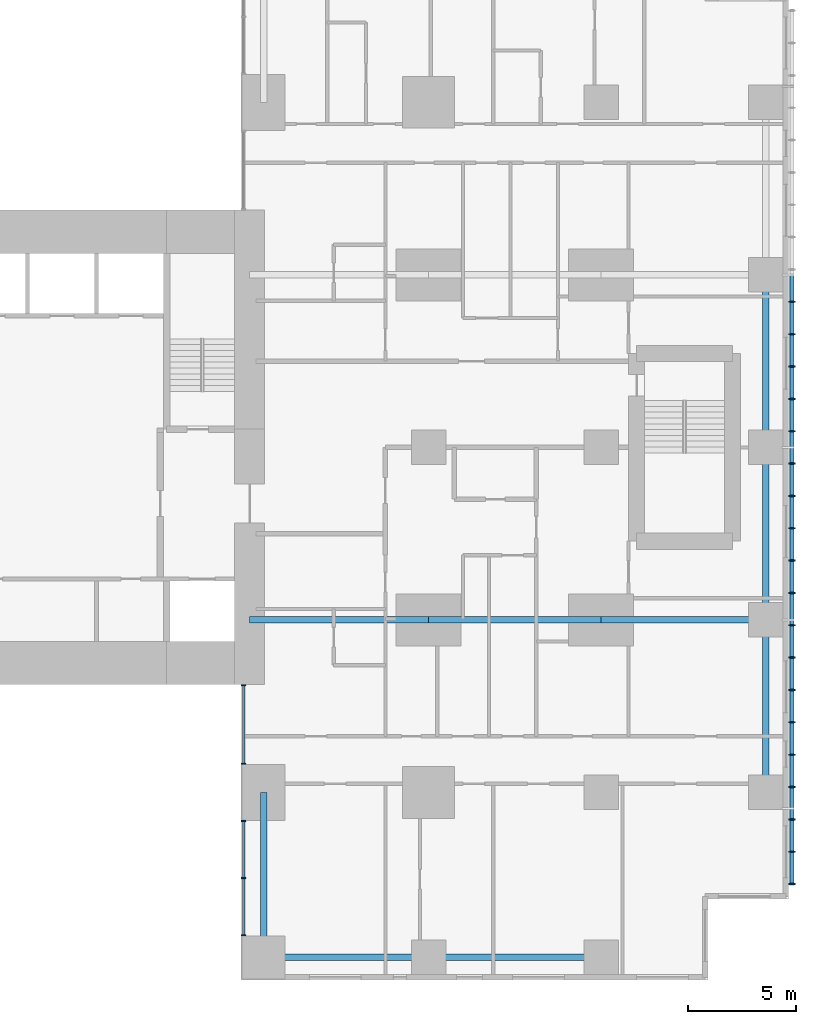
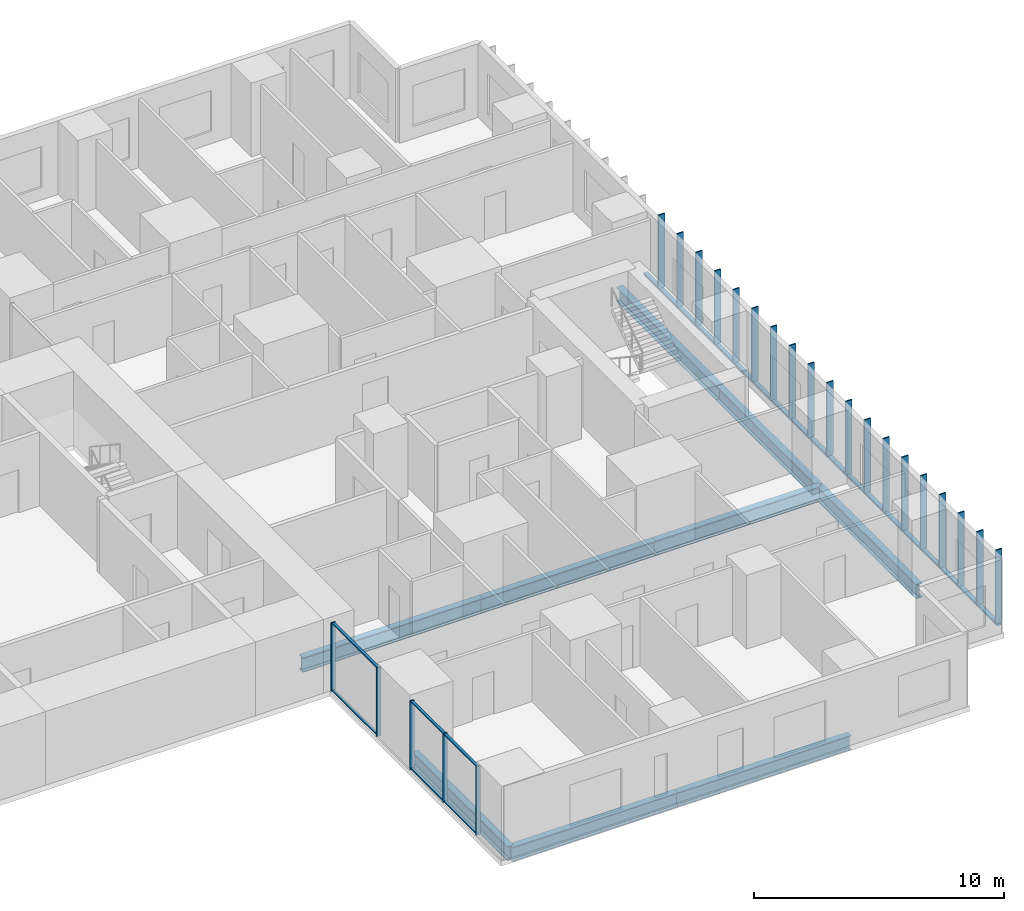
# One storey, part 2 of 12: 33 members, 9 beams, 2 elements without a shape of their own.
"""IFC4 building model written with IfcOpenShell, lengths in metres."""

from ifc_helpers import new_model, si_unit, direction, frame, origin, origin_2d, place, context, subcontext, project, spatial, rectangle, hollow_rectangle, i_section, extrude, material, layer, layer_set, material_profile, profile_set, type_object, element, aggregate, save


model = new_model("IFC4")

# Units and contexts
model_context = context("Model", 3, precision=1e-05, world=origin(), true_north=direction((0.0, 1.0)))
body_context = subcontext(model_context, "Body", "Model", "MODEL_VIEW")
ifc_project = project(units=[si_unit("LENGTHUNIT", "METRE"), si_unit("AREAUNIT", "SQUARE_METRE"), si_unit("VOLUMEUNIT", "CUBIC_METRE"), si_unit("PLANEANGLEUNIT", "RADIAN"), si_unit("MASSUNIT", "GRAM", prefix="KILO")], contexts=[model_context])

# Site, building, storey
site_placement = place(None, origin())
site = spatial("IfcSite", under=ifc_project, at=site_placement, CompositionType="ELEMENT")
building_placement = place(site_placement, origin())
building = spatial("IfcBuilding", under=site, at=building_placement, Name="Cleftline Residences", CompositionType="ELEMENT")
storey_placement = place(building_placement, frame((0.0, 0.0, 248.39990234375)))
storey = spatial("IfcBuildingStorey", under=building, at=storey_placement, Name="L65", CompositionType="ELEMENT", Elevation=248.39990234375)

# Members
ifc_material_1 = material(Name="Steel S355, hot-dip galvanised", Category="steel")
ifc_material_profile_1 = material_profile(ifc_material_1, hollow_rectangle(XDim=0.10009765625, YDim=0.199951171875, WallThickness=0.008056640625, InnerFilletRadius=0.008056640625, OuterFilletRadius=0.011962890625, at=origin_2d()))
ifc_profile_set_1 = profile_set([ifc_material_profile_1], Name="Steel S355, hot-dip galvanised")
member_type_1 = type_object("IfcMemberType", Name="BAGUETTE CARRIER RHS 200X100X8", PredefinedType="USERDEFINED", material=ifc_profile_set_1)
member_1_placement = place(storey_placement, frame((66.85009765625, 3.699951171875, -0.0498046875), z_axis=(0.0, 1.0, 0.0), x_axis=(0.0, 0.0, 1.0)))
element("IfcMember", 1, at=member_1_placement, inside=storey, type_object=member_type_1, Name="Baguette carrier", ObjectType="BAGUETTE CARRIER", PredefinedType="USERDEFINED", context=body_context, shape_type="SweptSolid", body=[
    extrude(hollow_rectangle(XDim=0.10009765625, YDim=0.199951171875, WallThickness=0.008056640625, InnerFilletRadius=0.008056640625, OuterFilletRadius=0.011962890625, at=origin_2d()), origin(), (0.0, 0.0, 1.0), 12.300048828125),
])
for number, where, z_axis, x_axis, name in (
    (2, (66.85009765625, 16.0, -0.0498046875), (0.0, 1.0, 0.0), (0.0, 0.0, 1.0), "Baguette carrier"),
    (3, (66.85009765625, 24.0, -0.0498046875), (0.0, 1.0, 0.0), (0.0, 0.0, 1.0), "Baguette carrier"),
):
    element("IfcMember", number, at=place(storey_placement, frame(where, z_axis=z_axis, x_axis=x_axis)), inside=storey, type_object=member_type_1, Name=name, ObjectType="BAGUETTE CARRIER", PredefinedType="USERDEFINED", context=body_context, shape_type="SweptSolid", body=[
        extrude(hollow_rectangle(XDim=0.10009765625, YDim=0.199951171875, WallThickness=0.008056640625, InnerFilletRadius=0.008056640625, OuterFilletRadius=0.011962890625, at=origin_2d()), origin(), (0.0, 0.0, 1.0), 8.0),
    ])

# Beams
ifc_material_2 = material(Name="Steel S355", Category="steel")
ifc_material_profile_2 = material_profile(ifc_material_2, i_section(OverallWidth=0.300048828125, OverallDepth=0.699951171875, WebThickness=0.01708984375, FlangeThickness=0.031982421875, FilletRadius=0.027099609375, at=origin_2d()))
ifc_profile_set_2 = profile_set([ifc_material_profile_2], Name="Steel S355")
beam_type_1 = type_object("IfcBeamType", Name="BEAM HEB 700", PredefinedType="BEAM", material=ifc_profile_set_2)
for number, where, z_axis, x_axis, name in (
    (4, (65.64990234375, 8.0, -0.599853515625), (0.0, 1.0, 0.0), (-1.0, 0.0, 0.0), "Edge beam"),
    (5, (65.64990234375, 16.0, -0.599853515625), (0.0, 1.0, 0.0), (-1.0, 0.0, 0.0), "Edge beam"),
    (6, (65.64990234375, 24.0, -0.599853515625), (0.0, 1.0, 0.0), (-1.0, 0.0, 0.0), "Edge beam"),
    (7, (58.0, 0.35009765625, -0.599853515625), (-1.0, 0.0, 0.0), (0.0, -1.0, 0.0), "Edge beam"),
):
    element("IfcBeam", number, at=place(storey_placement, frame(where, z_axis=z_axis, x_axis=x_axis)), inside=storey, type_object=beam_type_1, Name=name, PredefinedType="BEAM", context=body_context, shape_type="SweptSolid", body=[
        extrude(i_section(OverallWidth=0.300048828125, OverallDepth=0.699951171875, WebThickness=0.01708984375, FlangeThickness=0.031982421875, FilletRadius=0.027099609375, at=origin_2d()), origin(), (0.0, 0.0, 1.0), 8.0),
    ])
for number, where, z_axis, x_axis, name in (
    (8, (50.0, 0.35009765625, -0.599853515625), (-1.0, 0.0, 0.0), (0.0, -1.0, 0.0), "Edge beam"),
    (9, (42.35009765625, 0.35009765625, -0.599853515625), (0.0, 1.0, 0.0), (-1.0, 0.0, 0.0), "Edge beam"),
):
    element("IfcBeam", number, at=place(storey_placement, frame(where, z_axis=z_axis, x_axis=x_axis)), inside=storey, type_object=beam_type_1, Name=name, PredefinedType="BEAM", context=body_context, shape_type="SweptSolid", body=[
        extrude(i_section(OverallWidth=0.300048828125, OverallDepth=0.699951171875, WebThickness=0.01708984375, FlangeThickness=0.031982421875, FilletRadius=0.027099609375, at=origin_2d()), origin(), (0.0, 0.0, 1.0), 7.64990234375),
    ])
ifc_material_3 = material(Name="Steel S355", Category="steel")
ifc_material_profile_3 = material_profile(ifc_material_3, i_section(OverallWidth=0.303955078125, OverallDepth=0.716064453125, WebThickness=0.02099609375, FlangeThickness=0.0400390625, FilletRadius=0.027099609375, at=origin_2d()))
ifc_profile_set_3 = profile_set([ifc_material_profile_3], Name="Steel S355")
beam_type_2 = type_object("IfcBeamType", Name="BEAM HEM 700", PredefinedType="BEAM", material=ifc_profile_set_3)
beam_1_placement = place(storey_placement, frame((65.64990234375, 16.0, -0.60791015625), z_axis=(-1.0, 0.0, 0.0), x_axis=(0.0, -1.0, 0.0)))
element("IfcBeam", 10, at=beam_1_placement, inside=storey, type_object=beam_type_2, Name="Band beam", PredefinedType="BEAM", context=body_context, shape_type="SweptSolid", body=[
    extrude(i_section(OverallWidth=0.303955078125, OverallDepth=0.716064453125, WebThickness=0.02099609375, FlangeThickness=0.0400390625, FilletRadius=0.027099609375, at=origin_2d()), origin(), (0.0, 0.0, 1.0), 7.64990234375),
])
beam_2_placement = place(storey_placement, frame((58.0, 16.0, -0.60791015625), z_axis=(-1.0, 0.0, 0.0), x_axis=(0.0, -1.0, 0.0)))
element("IfcBeam", 11, at=beam_2_placement, inside=storey, type_object=beam_type_2, Name="Band beam", PredefinedType="BEAM", context=body_context, shape_type="SweptSolid", body=[
    extrude(i_section(OverallWidth=0.303955078125, OverallDepth=0.716064453125, WebThickness=0.02099609375, FlangeThickness=0.0400390625, FilletRadius=0.027099609375, at=origin_2d()), origin(), (0.0, 0.0, 1.0), 8.0),
])
beam_3_placement = place(storey_placement, frame((50.0, 16.0, -0.60791015625), z_axis=(-1.0, 0.0, 0.0), x_axis=(0.0, -1.0, 0.0)))
element("IfcBeam", 12, at=beam_3_placement, inside=storey, type_object=beam_type_2, Name="Band beam", PredefinedType="BEAM", context=body_context, shape_type="SweptSolid", body=[
    extrude(i_section(OverallWidth=0.303955078125, OverallDepth=0.716064453125, WebThickness=0.02099609375, FlangeThickness=0.0400390625, FilletRadius=0.027099609375, at=origin_2d()), origin(), (0.0, 0.0, 1.0), 8.300048828125),
])

# Curtain wall, members
ifc_material_4 = material(Name="Aluminium framed curtain wall", Category="aluminium")
ifc_layer = layer(ifc_material_4, 0.199951171875)
ifc_layer_set = layer_set([ifc_layer], Name="CW1 CLEFT GLAZING")
curtain_wall_type = type_object("IfcCurtainWallType", Name="CW1 CLEFT GLAZING", PredefinedType="NOTDEFINED", material=ifc_layer_set)
curtain_wall_1_placement = place(storey_placement, origin())
curtain_wall_1 = element("IfcCurtainWall", 13, at=curtain_wall_1_placement, inside=storey, type_object=curtain_wall_type, Name="Curtain wall CW1", PredefinedType="NOTDEFINED")
ifc_material_5 = material(Name="Aluminium mullion", Category="aluminium")
ifc_material_profile_4 = material_profile(ifc_material_5, rectangle(XDim=0.199951171875, YDim=0.06005859375, at=origin_2d()))
ifc_profile_set_4 = profile_set([ifc_material_profile_4], Name="Aluminium mullion")
member_type_2 = type_object("IfcMemberType", Name="CW1 MULLION", PredefinedType="MULLION", material=ifc_profile_set_4)
member_2_placement = place(storey_placement, frame((41.425048828125, 12.969970703125, 0.0), z_axis=(0.0, 0.0, 1.0), x_axis=(1.0, 0.0, 0.0)))
member_2 = element("IfcMember", 14, at=member_2_placement, type_object=member_type_2, Name="CW1 mullion 1", PredefinedType="MULLION", context=body_context, shape_type="SweptSolid", body=[
    extrude(rectangle(XDim=0.199951171875, YDim=0.06005859375, at=origin_2d()), origin(), (0.0, 0.0, 1.0), 3.35009765625),
])
member_3_placement = place(storey_placement, frame((41.425048828125, 9.330078125, 0.0), z_axis=(0.0, 0.0, 1.0), x_axis=(1.0, 0.0, 0.0)))
member_3 = element("IfcMember", 15, at=member_3_placement, type_object=member_type_2, Name="CW1 mullion 2", PredefinedType="MULLION", context=body_context, shape_type="SweptSolid", body=[
    extrude(rectangle(XDim=0.199951171875, YDim=0.06005859375, at=origin_2d()), origin(), (0.0, 0.0, 1.0), 3.35009765625),
])

curtain_wall_2_placement = place(storey_placement, origin())
curtain_wall_2 = element("IfcCurtainWall", 16, at=curtain_wall_2_placement, inside=storey, type_object=curtain_wall_type, Name="Curtain wall CW1", PredefinedType="NOTDEFINED")
member_4_placement = place(storey_placement, frame((41.425048828125, 6.669921875, 0.0), z_axis=(0.0, 0.0, 1.0), x_axis=(1.0, 0.0, 0.0)))
member_4 = element("IfcMember", 17, at=member_4_placement, type_object=member_type_2, Name="CW1 mullion 1", PredefinedType="MULLION", context=body_context, shape_type="SweptSolid", body=[
    extrude(rectangle(XDim=0.199951171875, YDim=0.06005859375, at=origin_2d()), origin(), (0.0, 0.0, 1.0), 3.35009765625),
])
member_5_placement = place(storey_placement, frame((41.425048828125, 4.02490234375, 0.0), z_axis=(0.0, 0.0, 1.0), x_axis=(1.0, 0.0, 0.0)))
member_5 = element("IfcMember", 18, at=member_5_placement, type_object=member_type_2, Name="CW1 mullion 2", PredefinedType="MULLION", context=body_context, shape_type="SweptSolid", body=[
    extrude(rectangle(XDim=0.199951171875, YDim=0.06005859375, at=origin_2d()), origin(), (0.0, 0.0, 1.0), 3.35009765625),
])
member_6_placement = place(storey_placement, frame((41.425048828125, 1.3798828125, 0.0), z_axis=(0.0, 0.0, 1.0), x_axis=(1.0, 0.0, 0.0)))
member_6 = element("IfcMember", 19, at=member_6_placement, type_object=member_type_2, Name="CW1 mullion 3", PredefinedType="MULLION", context=body_context, shape_type="SweptSolid", body=[
    extrude(rectangle(XDim=0.199951171875, YDim=0.06005859375, at=origin_2d()), origin(), (0.0, 0.0, 1.0), 3.35009765625),
])

# Member
ifc_material_6 = material(Name="Aluminium transom", Category="aluminium")
ifc_material_profile_5 = material_profile(ifc_material_6, rectangle(XDim=0.1201171875, YDim=0.06005859375, at=origin_2d()))
ifc_profile_set_5 = profile_set([ifc_material_profile_5], Name="Aluminium transom")
member_type_3 = type_object("IfcMemberType", Name="CW1 TRANSOM", PredefinedType="USERDEFINED", material=ifc_profile_set_5)
member_7_placement = place(storey_placement, frame((41.425048828125, 12.93994140625, 0.030029296875), z_axis=(0.0, -1.0, 0.0), x_axis=(1.0, 0.0, 0.0)))
member_7 = element("IfcMember", 20, at=member_7_placement, type_object=member_type_3, Name="CW1 transom 1.1", ObjectType="TRANSOM", PredefinedType="USERDEFINED", context=body_context, shape_type="SweptSolid", body=[
    extrude(rectangle(XDim=0.1201171875, YDim=0.06005859375, at=origin_2d()), origin(), (0.0, 0.0, 1.0), 3.579833984375),
])

member_8_placement = place(storey_placement, frame((41.425048828125, 12.93994140625, 3.320068359375), z_axis=(0.0, -1.0, 0.0), x_axis=(1.0, 0.0, 0.0)))
member_8 = element("IfcMember", 21, at=member_8_placement, type_object=member_type_3, Name="CW1 transom 1.2", ObjectType="TRANSOM", PredefinedType="USERDEFINED", context=body_context, shape_type="SweptSolid", body=[
    extrude(rectangle(XDim=0.1201171875, YDim=0.06005859375, at=origin_2d()), origin(), (0.0, 0.0, 1.0), 3.579833984375),
])

aggregate(curtain_wall_1, [member_2, member_3, member_7, member_8])

member_9_placement = place(storey_placement, frame((41.425048828125, 6.639892578125, 0.030029296875), z_axis=(0.0, -1.0, 0.0), x_axis=(1.0, 0.0, 0.0)))
member_9 = element("IfcMember", 22, at=member_9_placement, type_object=member_type_3, Name="CW1 transom 1.1", ObjectType="TRANSOM", PredefinedType="USERDEFINED", context=body_context, shape_type="SweptSolid", body=[
    extrude(rectangle(XDim=0.1201171875, YDim=0.06005859375, at=origin_2d()), origin(), (0.0, 0.0, 1.0), 2.5849609375),
])

member_10_placement = place(storey_placement, frame((41.425048828125, 6.639892578125, 3.320068359375), z_axis=(0.0, -1.0, 0.0), x_axis=(1.0, 0.0, 0.0)))
member_10 = element("IfcMember", 23, at=member_10_placement, type_object=member_type_3, Name="CW1 transom 1.2", ObjectType="TRANSOM", PredefinedType="USERDEFINED", context=body_context, shape_type="SweptSolid", body=[
    extrude(rectangle(XDim=0.1201171875, YDim=0.06005859375, at=origin_2d()), origin(), (0.0, 0.0, 1.0), 2.5849609375),
])

member_11_placement = place(storey_placement, frame((41.425048828125, 3.9951171875, 0.030029296875), z_axis=(0.0, -1.0, 0.0), x_axis=(1.0, 0.0, 0.0)))
member_11 = element("IfcMember", 24, at=member_11_placement, type_object=member_type_3, Name="CW1 transom 2.1", ObjectType="TRANSOM", PredefinedType="USERDEFINED", context=body_context, shape_type="SweptSolid", body=[
    extrude(rectangle(XDim=0.1201171875, YDim=0.06005859375, at=origin_2d()), origin(), (0.0, 0.0, 1.0), 2.585205078125),
])

member_12_placement = place(storey_placement, frame((41.425048828125, 3.9951171875, 3.320068359375), z_axis=(0.0, -1.0, 0.0), x_axis=(1.0, 0.0, 0.0)))
member_12 = element("IfcMember", 25, at=member_12_placement, type_object=member_type_3, Name="CW1 transom 2.2", ObjectType="TRANSOM", PredefinedType="USERDEFINED", context=body_context, shape_type="SweptSolid", body=[
    extrude(rectangle(XDim=0.1201171875, YDim=0.06005859375, at=origin_2d()), origin(), (0.0, 0.0, 1.0), 2.585205078125),
])

aggregate(curtain_wall_2, [member_4, member_5, member_6, member_9, member_10, member_11, member_12])

# Members
ifc_material_7 = material(Name="Extruded terracotta", Category="masonry")
ifc_material_profile_6 = material_profile(ifc_material_7, rectangle(XDim=0.06005859375, YDim=0.300048828125, at=origin_2d()))
ifc_profile_set_6 = profile_set([ifc_material_profile_6], Name="Extruded terracotta")
member_type_4 = type_object("IfcMemberType", Name="TERRACOTTA BAGUETTE 60X300", PredefinedType="USERDEFINED", material=ifc_profile_set_6)
for number, where, z_axis, x_axis, name in (
    (26, (66.85009765625, 3.75, 0.0), (0.0, 0.0, 1.0), (0.0, 1.0, 0.0), "Terracotta baguette"),
    (27, (66.85009765625, 5.25, 0.0), (0.0, 0.0, 1.0), (0.0, 1.0, 0.0), "Terracotta baguette"),
    (28, (66.85009765625, 6.75, 0.0), (0.0, 0.0, 1.0), (0.0, 1.0, 0.0), "Terracotta baguette"),
    (29, (66.85009765625, 8.25, 0.0), (0.0, 0.0, 1.0), (0.0, 1.0, 0.0), "Terracotta baguette"),
    (30, (66.85009765625, 9.75, 0.0), (0.0, 0.0, 1.0), (0.0, 1.0, 0.0), "Terracotta baguette"),
    (31, (66.85009765625, 11.25, 0.0), (0.0, 0.0, 1.0), (0.0, 1.0, 0.0), "Terracotta baguette"),
    (32, (66.85009765625, 12.75, 0.0), (0.0, 0.0, 1.0), (0.0, 1.0, 0.0), "Terracotta baguette"),
    (33, (66.85009765625, 14.25, 0.0), (0.0, 0.0, 1.0), (0.0, 1.0, 0.0), "Terracotta baguette"),
    (34, (66.85009765625, 15.75, 0.0), (0.0, 0.0, 1.0), (0.0, 1.0, 0.0), "Terracotta baguette"),
    (35, (66.85009765625, 17.25, 0.0), (0.0, 0.0, 1.0), (0.0, 1.0, 0.0), "Terracotta baguette"),
    (36, (66.85009765625, 18.75, 0.0), (0.0, 0.0, 1.0), (0.0, 1.0, 0.0), "Terracotta baguette"),
    (37, (66.85009765625, 20.25, 0.0), (0.0, 0.0, 1.0), (0.0, 1.0, 0.0), "Terracotta baguette"),
    (38, (66.85009765625, 21.75, 0.0), (0.0, 0.0, 1.0), (0.0, 1.0, 0.0), "Terracotta baguette"),
    (39, (66.85009765625, 23.25, 0.0), (0.0, 0.0, 1.0), (0.0, 1.0, 0.0), "Terracotta baguette"),
    (40, (66.85009765625, 24.75, 0.0), (0.0, 0.0, 1.0), (0.0, 1.0, 0.0), "Terracotta baguette"),
    (41, (66.85009765625, 26.25, 0.0), (0.0, 0.0, 1.0), (0.0, 1.0, 0.0), "Terracotta baguette"),
    (42, (66.85009765625, 27.75, 0.0), (0.0, 0.0, 1.0), (0.0, 1.0, 0.0), "Terracotta baguette"),
    (43, (66.85009765625, 29.25, 0.0), (0.0, 0.0, 1.0), (0.0, 1.0, 0.0), "Terracotta baguette"),
    (44, (66.85009765625, 30.75, 0.0), (0.0, 0.0, 1.0), (0.0, 1.0, 0.0), "Terracotta baguette"),
):
    element("IfcMember", number, at=place(storey_placement, frame(where, z_axis=z_axis, x_axis=x_axis)), inside=storey, type_object=member_type_4, Name=name, ObjectType="BAGUETTE", PredefinedType="USERDEFINED", context=body_context, shape_type="SweptSolid", body=[
        extrude(rectangle(XDim=0.06005859375, YDim=0.300048828125, at=origin_2d()), origin(), (0.0, 0.0, 1.0), 3.60009765625),
    ])

save(model, "model.ifc")
